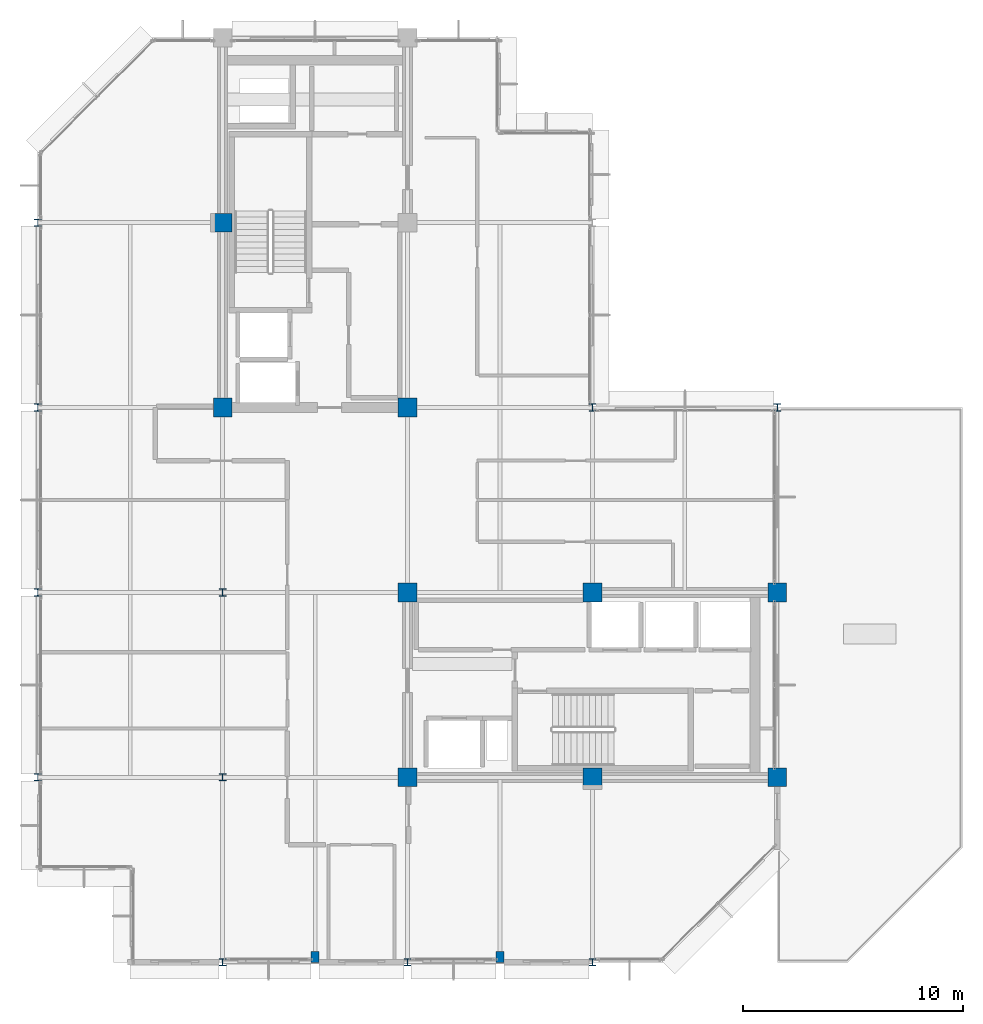
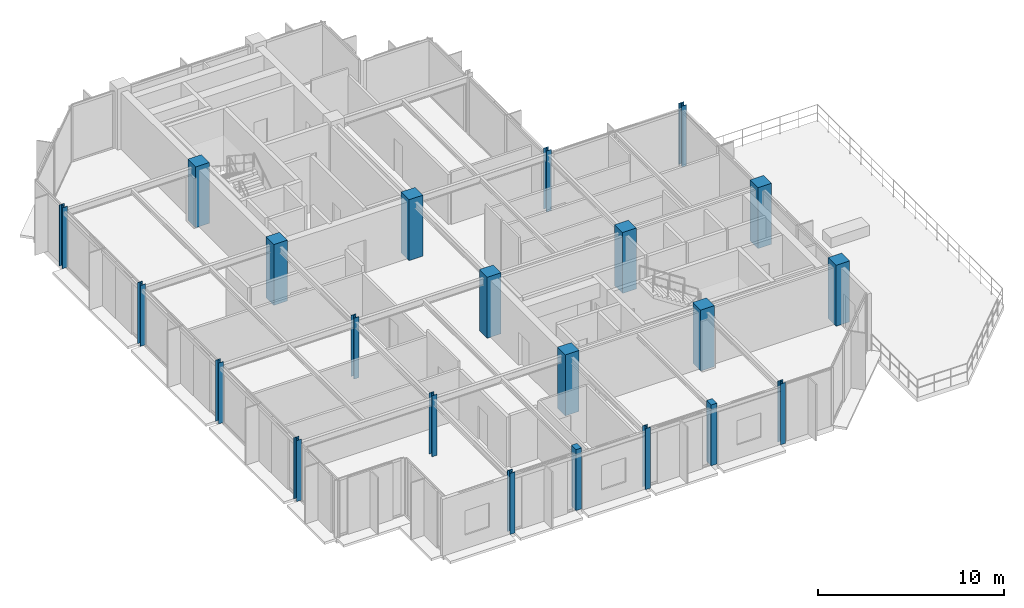
# One storey, part 1 of 23: 22 columns.
"""IFC4 building model written with IfcOpenShell, lengths in metres."""

from ifc_helpers import new_model, si_unit, direction, frame, origin, origin_2d, place, context, subcontext, project, spatial, rectangle, i_section, extrude, material, material_profile, profile_set, type_object, element, save


model = new_model("IFC4")

# Units and contexts
model_context = context("Model", 3, precision=1e-05, world=origin(), true_north=direction((0.0, 1.0)))
body_context = subcontext(model_context, "Body", "Model", "MODEL_VIEW")
ifc_project = project(units=[si_unit("LENGTHUNIT", "METRE"), si_unit("AREAUNIT", "SQUARE_METRE"), si_unit("VOLUMEUNIT", "CUBIC_METRE"), si_unit("PLANEANGLEUNIT", "RADIAN"), si_unit("MASSUNIT", "GRAM", prefix="KILO")], contexts=[model_context])

# Site, building, storey
site_placement = place(None, origin())
site = spatial("IfcSite", under=ifc_project, at=site_placement, CompositionType="ELEMENT")
building_placement = place(site_placement, origin())
building = spatial("IfcBuilding", under=site, at=building_placement, Name="Nerrivon Quay Data Exchange", CompositionType="ELEMENT")
storey_placement = place(building_placement, frame((0.0, 0.0, 286.199951171875)))
storey = spatial("IfcBuildingStorey", under=building, at=storey_placement, Name="L68", CompositionType="ELEMENT", Elevation=286.199951171875)

# Columns
ifc_material_1 = material(Name="Concrete N50 (50 MPa)", Category="concrete")
ifc_material_profile_1 = material_profile(ifc_material_1, rectangle(XDim=0.85009765625, YDim=0.85009765625, at=origin_2d()), Name="RC-COL-850x850")
ifc_profile_set_1 = profile_set([ifc_material_profile_1], Name="Concrete N50 (50 MPa)")
column_type_1 = type_object("IfcColumnType", Name="COL-C5-850", PredefinedType="COLUMN", material=ifc_profile_set_1)
for number, where, z_axis, x_axis, name in (
    (1, (8.39990234375, 25.199951171875, 0.0), (0.0, 0.0, 1.0), (1.0, 0.0, 0.0), "L68 Column (8.4,25.2)"),
    (2, (8.39990234375, 33.60009765625, 0.0), (0.0, 0.0, 1.0), (1.0, 0.0, 0.0), "L68 Column (8.4,33.6)"),
    (3, (16.800048828125, 8.39990234375, 0.0), (0.0, 0.0, 1.0), (1.0, 0.0, 0.0), "L68 Column (16.8,8.4)"),
    (4, (16.800048828125, 16.800048828125, 0.0), (0.0, 0.0, 1.0), (1.0, 0.0, 0.0), "L68 Column (16.8,16.8)"),
    (5, (16.800048828125, 25.199951171875, 0.0), (0.0, 0.0, 1.0), (1.0, 0.0, 0.0), "L68 Column (16.8,25.2)"),
    (6, (25.199951171875, 8.39990234375, 0.0), (0.0, 0.0, 1.0), (1.0, 0.0, 0.0), "L68 Column (25.2,8.4)"),
    (7, (25.199951171875, 16.800048828125, 0.0), (0.0, 0.0, 1.0), (1.0, 0.0, 0.0), "L68 Column (25.2,16.8)"),
    (8, (33.60009765625, 8.39990234375, 0.0), (0.0, 0.0, 1.0), (1.0, 0.0, 0.0), "L68 Column (33.6,8.4)"),
    (9, (33.60009765625, 16.800048828125, 0.0), (0.0, 0.0, 1.0), (1.0, 0.0, 0.0), "L68 Column (33.6,16.8)"),
):
    element("IfcColumn", number, at=place(storey_placement, frame(where, z_axis=z_axis, x_axis=x_axis)), inside=storey, type_object=column_type_1, Name=name, PredefinedType="COLUMN", context=body_context, shape_type="SweptSolid", body=[
        extrude(rectangle(XDim=0.85009765625, YDim=0.85009765625, at=origin_2d()), origin(), (0.0, 0.0, 1.0), 4.0),
    ])
ifc_material_2 = material(Name="Steel Grade 350", Category="steel")
ifc_material_profile_2 = material_profile(ifc_material_2, i_section(OverallWidth=0.31103515625, OverallDepth=0.326904296875, WebThickness=0.015625, FlangeThickness=0.02490234375, FilletRadius=0.0166015625, at=origin_2d()), Name="310UC158")
ifc_profile_set_2 = profile_set([ifc_material_profile_2], Name="Steel Grade 350")
column_type_2 = type_object("IfcColumnType", Name="COL-SC4-310UC158", PredefinedType="COLUMN", material=ifc_profile_set_2)
for number, where, z_axis, x_axis, name in (
    (10, (0.0, 8.39990234375, 0.0), (0.0, 0.0, 1.0), (1.0, 0.0, 0.0), "L68 Column (0.0,8.4)"),
    (11, (0.0, 16.800048828125, 0.0), (0.0, 0.0, 1.0), (1.0, 0.0, 0.0), "L68 Column (0.0,16.8)"),
    (12, (0.0, 25.199951171875, 0.0), (0.0, 0.0, 1.0), (1.0, 0.0, 0.0), "L68 Column (0.0,25.2)"),
    (13, (0.0, 33.60009765625, 0.0), (0.0, 0.0, 1.0), (1.0, 0.0, 0.0), "L68 Column (0.0,33.6)"),
    (14, (8.39990234375, 0.0, 0.0), (0.0, 0.0, 1.0), (1.0, 0.0, 0.0), "L68 Column (8.4,0.0)"),
    (15, (8.39990234375, 8.39990234375, 0.0), (0.0, 0.0, 1.0), (1.0, 0.0, 0.0), "L68 Column (8.4,8.4)"),
    (16, (8.39990234375, 16.800048828125, 0.0), (0.0, 0.0, 1.0), (1.0, 0.0, 0.0), "L68 Column (8.4,16.8)"),
    (17, (16.800048828125, 0.0, 0.0), (0.0, 0.0, 1.0), (1.0, 0.0, 0.0), "L68 Column (16.8,0.0)"),
    (18, (25.199951171875, 0.0, 0.0), (0.0, 0.0, 1.0), (1.0, 0.0, 0.0), "L68 Column (25.2,0.0)"),
    (19, (25.199951171875, 25.199951171875, 0.0), (0.0, 0.0, 1.0), (1.0, 0.0, 0.0), "L68 Column (25.2,25.2)"),
    (20, (33.60009765625, 25.199951171875, 0.0), (0.0, 0.0, 1.0), (1.0, 0.0, 0.0), "L68 Column (33.6,25.2)"),
):
    element("IfcColumn", number, at=place(storey_placement, frame(where, z_axis=z_axis, x_axis=x_axis)), inside=storey, type_object=column_type_2, Name=name, PredefinedType="COLUMN", context=body_context, shape_type="SweptSolid", body=[
        extrude(i_section(OverallWidth=0.31103515625, OverallDepth=0.326904296875, WebThickness=0.015625, FlangeThickness=0.02490234375, FilletRadius=0.0166015625, at=origin_2d()), origin(), (0.0, 0.0, 1.0), 4.0),
    ])
ifc_material_profile_3 = material_profile(ifc_material_1, rectangle(XDim=0.35009765625, YDim=0.5, at=origin_2d()), Name="RC-PIL-500x350")
ifc_profile_set_3 = profile_set([ifc_material_profile_3], Name="Concrete N50 (50 MPa)")
column_type_3 = type_object("IfcColumnType", Name="PIL-P2-500x350", PredefinedType="PILASTER", material=ifc_profile_set_3)
for number, where, z_axis, x_axis, name in (
    (21, (12.60009765625, 0.25, 0.0), (0.0, 0.0, 1.0), (1.0, 0.0, 0.0), "L68 Facade Pilaster (12.6)"),
    (22, (21.0, 0.25, 0.0), (0.0, 0.0, 1.0), (1.0, 0.0, 0.0), "L68 Facade Pilaster (21.0)"),
):
    element("IfcColumn", number, at=place(storey_placement, frame(where, z_axis=z_axis, x_axis=x_axis)), inside=storey, type_object=column_type_3, Name=name, PredefinedType="PILASTER", context=body_context, shape_type="SweptSolid", body=[
        extrude(rectangle(XDim=0.35009765625, YDim=0.5, at=origin_2d()), origin(), (0.0, 0.0, 1.0), 4.0),
    ])

save(model, "model.ifc")
